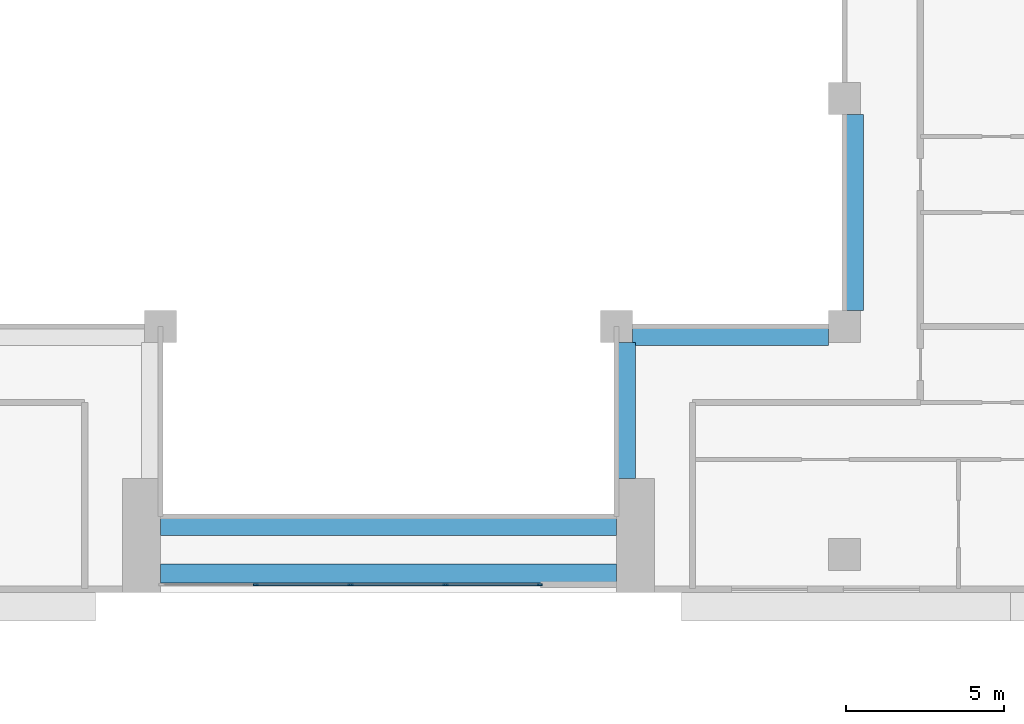
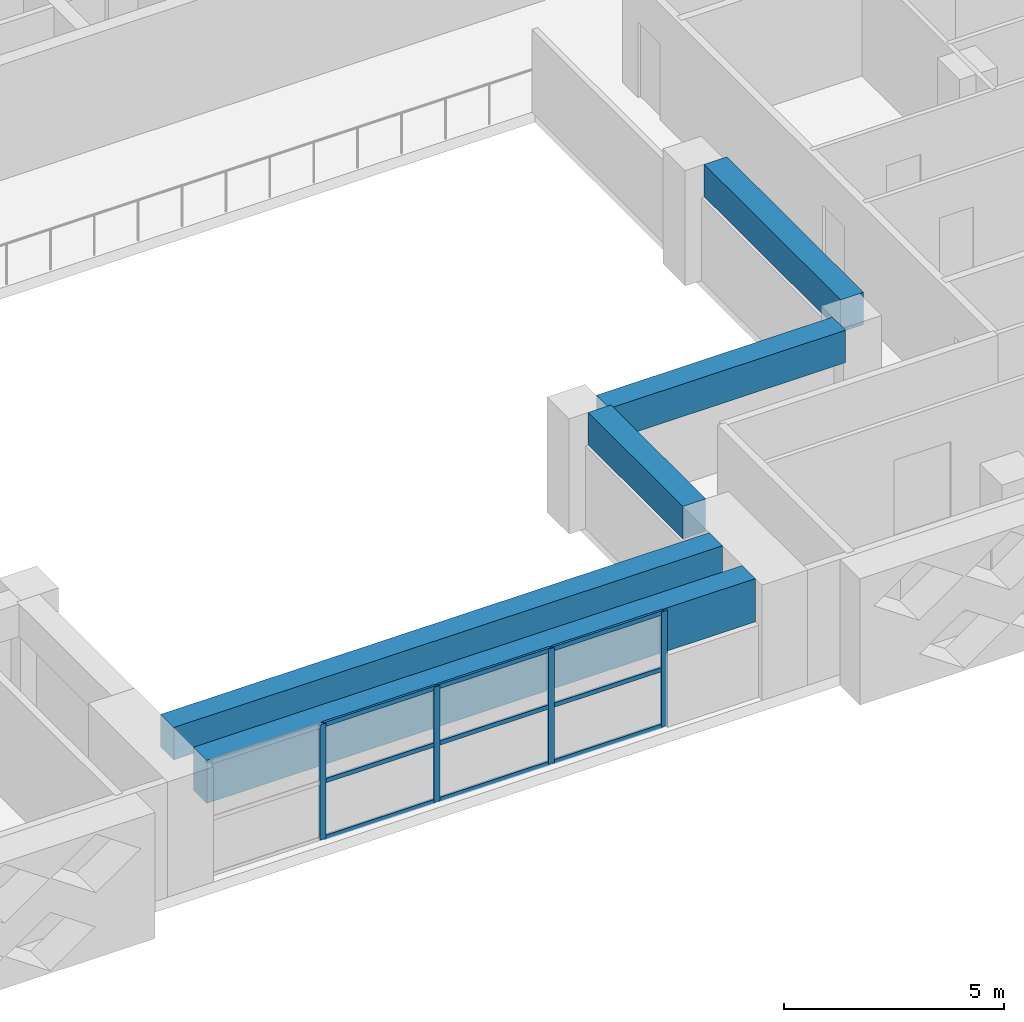
# One storey, part 4 of 20: 13 members, 5 beams, 1 element without a shape of its own.
"""IFC4 building model written with IfcOpenShell, lengths in metres."""

from ifc_helpers import new_model, si_unit, direction, frame, origin, origin_2d, place, context, subcontext, project, spatial, rectangle, extrude, source, transform, mapped, material, layer, layer_set, material_profile, profile_set, type_object, element, aggregate, save


model = new_model("IFC4")

# Units and contexts
model_context = context("Model", 3, precision=1e-05, world=origin(), true_north=direction((0.0, 1.0)))
body_context = subcontext(model_context, "Body", "Model", "MODEL_VIEW")
ifc_project = project(units=[si_unit("LENGTHUNIT", "METRE"), si_unit("AREAUNIT", "SQUARE_METRE"), si_unit("VOLUMEUNIT", "CUBIC_METRE"), si_unit("PLANEANGLEUNIT", "RADIAN"), si_unit("MASSUNIT", "GRAM", prefix="KILO")], contexts=[model_context])

# Site, building, storey
site_placement = place(None, origin())
site = spatial("IfcSite", under=ifc_project, at=site_placement, CompositionType="ELEMENT")
building_placement = place(site_placement, origin())
building = spatial("IfcBuilding", under=site, at=building_placement, Name="Saffron Iwan Residences", CompositionType="ELEMENT")
storey_placement = place(building_placement, frame((0.0, 0.0, 164.0)))
storey = spatial("IfcBuildingStorey", under=building, at=storey_placement, Name="L43", CompositionType="ELEMENT", Elevation=164.0)

# Beams
ifc_material_1 = material(Name="Concrete C50/60", Category="concrete")
ifc_material_profile_1 = material_profile(ifc_material_1, rectangle(XDim=0.60009765625, YDim=1.199951171875, at=origin_2d()), Name="RC 600x1200")
ifc_profile_set_1 = profile_set([ifc_material_profile_1], Name="Concrete C50/60")
beam_type_1 = type_object("IfcBeamType", Name="LINTEL BEAM RC 600x1200 C50/60 TOP 3200", PredefinedType="LINTEL", material=ifc_profile_set_1)
shared_shape_1 = source(origin(), body_context, "Body", "SweptSolid", [
    extrude(rectangle(XDim=0.60009765625, YDim=1.199951171875, at=origin_2d()), origin(), (0.0, 0.0, 1.0), 14.400146484375),
])
beam_1_placement = place(storey_placement, frame((57.60009765625, 40.199951171875, 2.60009765625), z_axis=(-1.0, 0.0, 0.0), x_axis=(0.0, -1.0, 0.0)))
element("IfcBeam", 1, at=beam_1_placement, inside=storey, type_object=beam_type_1, Name="Lintel beam over the iwan", PredefinedType="LINTEL", context=body_context, shape_type="MappedRepresentation", body=[
    mapped(shared_shape_1, transform((0.0, 0.0, 0.0))),
])
ifc_material_profile_2 = material_profile(ifc_material_1, rectangle(XDim=0.60009765625, YDim=0.89990234375, at=origin_2d()), Name="RC 600x900")
ifc_profile_set_2 = profile_set([ifc_material_profile_2], Name="Concrete C50/60")
beam_type_2 = type_object("IfcBeamType", Name="BEAM RC 600x900 C50/60 TOP 3200", PredefinedType="BEAM", material=ifc_profile_set_2)
shared_shape_2 = source(origin(), body_context, "Body", "SweptSolid", [
    extrude(rectangle(XDim=0.60009765625, YDim=0.89990234375, at=origin_2d()), origin(), (0.0, 0.0, 1.0), 14.400146484375),
])
beam_2_placement = place(storey_placement, frame((57.60009765625, 41.699951171875, 2.75), z_axis=(-1.0, 0.0, 0.0), x_axis=(0.0, -1.0, 0.0)))
element("IfcBeam", 2, at=beam_2_placement, inside=storey, type_object=beam_type_2, Name="Atrium edge beam", PredefinedType="BEAM", context=body_context, shape_type="MappedRepresentation", body=[
    mapped(shared_shape_2, transform((0.0, 0.0, 0.0))),
])
shared_shape_3 = source(origin(), body_context, "Body", "SweptSolid", [
    extrude(rectangle(XDim=0.60009765625, YDim=0.89990234375, at=origin_2d()), origin(), (0.0, 0.0, 1.0), 4.300048828125),
])
beam_3_placement = place(storey_placement, frame((57.89990234375, 47.5, 2.75), z_axis=(0.0, -1.0, 0.0), x_axis=(1.0, 0.0, 0.0)))
element("IfcBeam", 3, at=beam_3_placement, inside=storey, type_object=beam_type_2, Name="Atrium edge beam", PredefinedType="BEAM", context=body_context, shape_type="MappedRepresentation", body=[
    mapped(shared_shape_3, transform((0.0, 0.0, 0.0))),
])
shared_shape_4 = source(origin(), body_context, "Body", "SweptSolid", [
    extrude(rectangle(XDim=0.60009765625, YDim=0.89990234375, at=origin_2d()), origin(), (0.0, 0.0, 1.0), 6.199951171875),
])
for number, where, z_axis, x_axis, name in (
    (4, (64.300048828125, 47.699951171875, 2.75), (-1.0, 0.0, 0.0), (0.0, -1.0, 0.0), "Atrium edge beam"),
    (5, (65.10009765625, 54.699951171875, 2.75), (0.0, -1.0, 0.0), (1.0, 0.0, 0.0), "Atrium edge beam"),
):
    element("IfcBeam", number, at=place(storey_placement, frame(where, z_axis=z_axis, x_axis=x_axis)), inside=storey, type_object=beam_type_2, Name=name, PredefinedType="BEAM", context=body_context, shape_type="MappedRepresentation", body=[
        mapped(shared_shape_4, transform((0.0, 0.0, 0.0))),
    ])

# Curtain wall, members
ifc_material_2 = material(Name="Clear glass, laminated double glazed", Category="glass")
ifc_layer = layer(ifc_material_2, 0.199951171875)
ifc_layer_set = layer_set([ifc_layer], Name="Clear glass, laminated double glazed")
curtain_wall_type = type_object("IfcCurtainWallType", Name="CW-B IWAN PORTAL", PredefinedType="NOTDEFINED", material=ifc_layer_set)
curtain_wall_placement = place(storey_placement, origin())
curtain_wall = element("IfcCurtainWall", 6, at=curtain_wall_placement, inside=storey, type_object=curtain_wall_type, Name="Iwan portal glazing L43.1", PredefinedType="NOTDEFINED")
ifc_material_3 = material(Name="Aluminium 6063-T6", Category="aluminium")
ifc_material_profile_3 = material_profile(ifc_material_3, rectangle(XDim=0.06005859375, YDim=0.1201171875, at=origin_2d()), Name="CW-B TRANSOM 60 x 120")
ifc_profile_set_3 = profile_set([ifc_material_profile_3], Name="Aluminium 6063-T6")
member_type_1 = type_object("IfcMemberType", Name="CW-B TRANSOM 60 x 120", PredefinedType="USERDEFINED", material=ifc_profile_set_3)
shared_shape_5 = source(origin(), body_context, "Body", "SweptSolid", [
    extrude(rectangle(XDim=0.06005859375, YDim=0.1201171875, at=origin_2d()), origin(), (0.0, 0.0, 1.0), 2.909912109375),
])
member_1_placement = place(storey_placement, frame((52.22998046875, 39.85009765625, 0.030029296875), z_axis=(1.0, 0.0, 0.0), x_axis=(0.0, 1.0, 0.0)))
member_1 = element("IfcMember", 7, at=member_1_placement, type_object=member_type_1, Name="CW-B transom 4.1", ObjectType="TRANSOM", PredefinedType="USERDEFINED", context=body_context, shape_type="MappedRepresentation", body=[
    mapped(shared_shape_5, transform((0.0, 0.0, 0.0))),
])
member_2_placement = place(storey_placement, frame((52.22998046875, 39.85009765625, 1.60009765625), z_axis=(1.0, 0.0, 0.0), x_axis=(0.0, 1.0, 0.0)))
member_2 = element("IfcMember", 8, at=member_2_placement, type_object=member_type_1, Name="CW-B transom 4.2", ObjectType="TRANSOM", PredefinedType="USERDEFINED", context=body_context, shape_type="MappedRepresentation", body=[
    mapped(shared_shape_5, transform((0.0, 0.0, 0.0))),
])
member_3_placement = place(storey_placement, frame((52.22998046875, 39.85009765625, 3.169921875), z_axis=(1.0, 0.0, 0.0), x_axis=(0.0, 1.0, 0.0)))
member_3 = element("IfcMember", 9, at=member_3_placement, type_object=member_type_1, Name="CW-B transom 4.3", ObjectType="TRANSOM", PredefinedType="USERDEFINED", context=body_context, shape_type="MappedRepresentation", body=[
    mapped(shared_shape_5, transform((0.0, 0.0, 0.0))),
])
shared_shape_6 = source(origin(), body_context, "Body", "SweptSolid", [
    extrude(rectangle(XDim=0.06005859375, YDim=0.1201171875, at=origin_2d()), origin(), (0.0, 0.0, 1.0), 2.93994140625),
])
member_4_placement = place(storey_placement, frame((46.22998046875, 39.85009765625, 0.030029296875), z_axis=(1.0, 0.0, 0.0), x_axis=(0.0, 1.0, 0.0)))
member_4 = element("IfcMember", 10, at=member_4_placement, type_object=member_type_1, Name="CW-B transom 2.1", ObjectType="TRANSOM", PredefinedType="USERDEFINED", context=body_context, shape_type="MappedRepresentation", body=[
    mapped(shared_shape_6, transform((0.0, 0.0, 0.0))),
])
member_5_placement = place(storey_placement, frame((46.22998046875, 39.85009765625, 1.60009765625), z_axis=(1.0, 0.0, 0.0), x_axis=(0.0, 1.0, 0.0)))
member_5 = element("IfcMember", 11, at=member_5_placement, type_object=member_type_1, Name="CW-B transom 2.2", ObjectType="TRANSOM", PredefinedType="USERDEFINED", context=body_context, shape_type="MappedRepresentation", body=[
    mapped(shared_shape_6, transform((0.0, 0.0, 0.0))),
])
member_6_placement = place(storey_placement, frame((46.22998046875, 39.85009765625, 3.169921875), z_axis=(1.0, 0.0, 0.0), x_axis=(0.0, 1.0, 0.0)))
member_6 = element("IfcMember", 12, at=member_6_placement, type_object=member_type_1, Name="CW-B transom 2.3", ObjectType="TRANSOM", PredefinedType="USERDEFINED", context=body_context, shape_type="MappedRepresentation", body=[
    mapped(shared_shape_6, transform((0.0, 0.0, 0.0))),
])
member_7_placement = place(storey_placement, frame((49.22998046875, 39.85009765625, 0.030029296875), z_axis=(1.0, 0.0, 0.0), x_axis=(0.0, 1.0, 0.0)))
member_7 = element("IfcMember", 13, at=member_7_placement, type_object=member_type_1, Name="CW-B transom 3.1", ObjectType="TRANSOM", PredefinedType="USERDEFINED", context=body_context, shape_type="MappedRepresentation", body=[
    mapped(shared_shape_6, transform((0.0, 0.0, 0.0))),
])
member_8_placement = place(storey_placement, frame((49.22998046875, 39.85009765625, 1.60009765625), z_axis=(1.0, 0.0, 0.0), x_axis=(0.0, 1.0, 0.0)))
member_8 = element("IfcMember", 14, at=member_8_placement, type_object=member_type_1, Name="CW-B transom 3.2", ObjectType="TRANSOM", PredefinedType="USERDEFINED", context=body_context, shape_type="MappedRepresentation", body=[
    mapped(shared_shape_6, transform((0.0, 0.0, 0.0))),
])
member_9_placement = place(storey_placement, frame((49.22998046875, 39.85009765625, 3.169921875), z_axis=(1.0, 0.0, 0.0), x_axis=(0.0, 1.0, 0.0)))
member_9 = element("IfcMember", 15, at=member_9_placement, type_object=member_type_1, Name="CW-B transom 3.3", ObjectType="TRANSOM", PredefinedType="USERDEFINED", context=body_context, shape_type="MappedRepresentation", body=[
    mapped(shared_shape_6, transform((0.0, 0.0, 0.0))),
])
ifc_material_profile_4 = material_profile(ifc_material_3, rectangle(XDim=0.06005859375, YDim=0.159912109375, at=origin_2d()), Name="CW-B MULLION 60 x 160")
ifc_profile_set_4 = profile_set([ifc_material_profile_4], Name="Aluminium 6063-T6")
member_type_2 = type_object("IfcMemberType", Name="CW-B MULLION 60 x 160", PredefinedType="MULLION", material=ifc_profile_set_4)
shared_shape_7 = source(origin(), body_context, "Body", "SweptSolid", [
    extrude(rectangle(XDim=0.06005859375, YDim=0.159912109375, at=origin_2d()), origin(), (0.0, 0.0, 1.0), 3.199951171875),
])
member_10_placement = place(storey_placement, frame((46.199951171875, 39.85009765625, 0.0), z_axis=(0.0, 0.0, 1.0), x_axis=(0.0, 1.0, 0.0)))
member_10 = element("IfcMember", 16, at=member_10_placement, type_object=member_type_2, Name="CW-B mullion 2", PredefinedType="MULLION", context=body_context, shape_type="MappedRepresentation", body=[
    mapped(shared_shape_7, transform((0.0, 0.0, 0.0))),
])
member_11_placement = place(storey_placement, frame((49.199951171875, 39.85009765625, 0.0), z_axis=(0.0, 0.0, 1.0), x_axis=(0.0, 1.0, 0.0)))
member_11 = element("IfcMember", 17, at=member_11_placement, type_object=member_type_2, Name="CW-B mullion 3", PredefinedType="MULLION", context=body_context, shape_type="MappedRepresentation", body=[
    mapped(shared_shape_7, transform((0.0, 0.0, 0.0))),
])
member_12_placement = place(storey_placement, frame((52.199951171875, 39.85009765625, 0.0), z_axis=(0.0, 0.0, 1.0), x_axis=(0.0, 1.0, 0.0)))
member_12 = element("IfcMember", 18, at=member_12_placement, type_object=member_type_2, Name="CW-B mullion 4", PredefinedType="MULLION", context=body_context, shape_type="MappedRepresentation", body=[
    mapped(shared_shape_7, transform((0.0, 0.0, 0.0))),
])
member_13_placement = place(storey_placement, frame((55.169921875, 39.85009765625, 0.0), z_axis=(0.0, 0.0, 1.0), x_axis=(0.0, 1.0, 0.0)))
member_13 = element("IfcMember", 19, at=member_13_placement, type_object=member_type_2, Name="CW-B mullion 5", PredefinedType="MULLION", context=body_context, shape_type="MappedRepresentation", body=[
    mapped(shared_shape_7, transform((0.0, 0.0, 0.0))),
])
aggregate(curtain_wall, [member_10, member_11, member_12, member_13, member_4, member_5, member_6, member_7, member_8, member_9, member_1, member_2, member_3])

save(model, "model.ifc")
